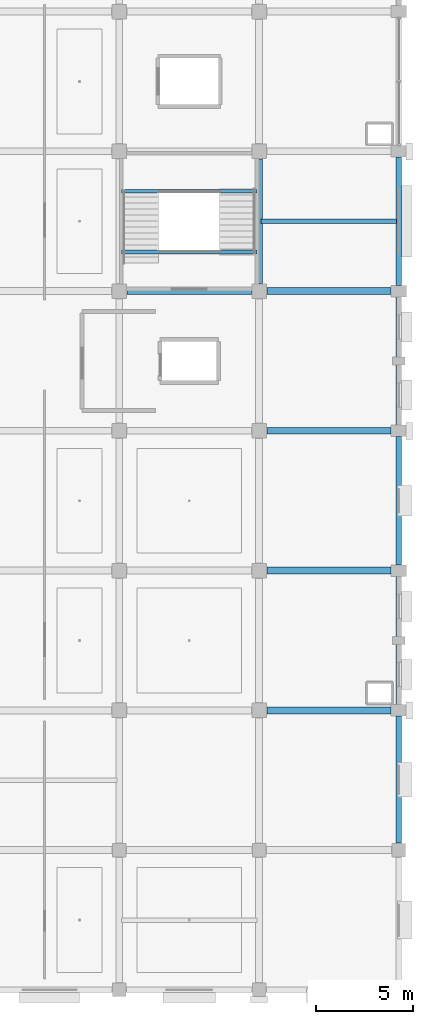
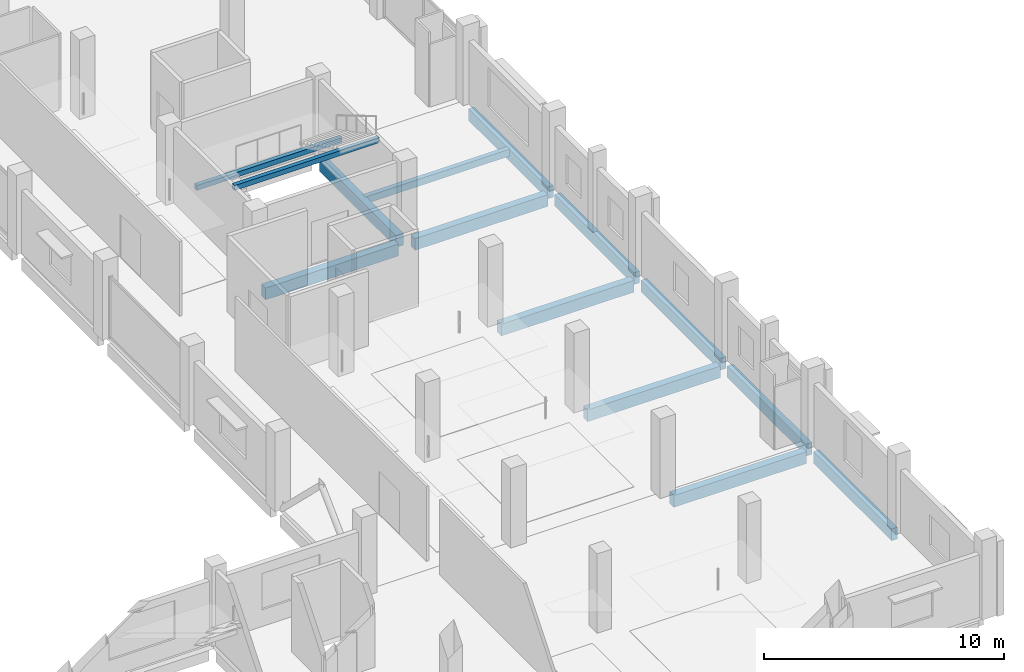
# One storey, part 48 of 108: 14 beams.
"""IFC4 building model written with IfcOpenShell, lengths in metres."""

from ifc_helpers import new_model, si_unit, direction, frame, origin, origin_2d, place, context, subcontext, project, spatial, rectangle, extrude, material, material_profile, profile_set, type_object, element, save


model = new_model("IFC4")

# Units and contexts
model_context = context("Model", 3, precision=1e-05, world=origin(), true_north=direction((0.0, 1.0)))
body_context = subcontext(model_context, "Body", "Model", "MODEL_VIEW")
ifc_project = project(units=[si_unit("LENGTHUNIT", "METRE"), si_unit("AREAUNIT", "SQUARE_METRE"), si_unit("VOLUMEUNIT", "CUBIC_METRE"), si_unit("PLANEANGLEUNIT", "RADIAN"), si_unit("MASSUNIT", "GRAM", prefix="KILO")], contexts=[model_context])

# Site, building, storey
site_placement = place(None, origin())
site = spatial("IfcSite", under=ifc_project, at=site_placement, CompositionType="ELEMENT")
building_placement = place(site_placement, origin())
building = spatial("IfcBuilding", under=site, at=building_placement, Name="Kangsadwip Square Police Headquarters", CompositionType="ELEMENT")
storey_placement = place(building_placement, frame((0.0, 0.0, 9.449951171875)))
storey = spatial("IfcBuildingStorey", under=building, at=storey_placement, Name="L02", CompositionType="ELEMENT", Elevation=9.449951171875)

# Beams
ifc_material_1 = material(Name="Concrete M35 (35 MPa)", Category="concrete")
ifc_material_profile_1 = material_profile(ifc_material_1, rectangle(XDim=0.35009765625, YDim=0.60009765625, at=origin_2d()), Name="RC BM 600X350")
ifc_profile_set_1 = profile_set([ifc_material_profile_1], Name="Concrete M35 (35 MPa)")
beam_type_1 = type_object("IfcBeamType", Name="RcBeam600x350", PredefinedType="BEAM", material=ifc_profile_set_1)
for number, where, z_axis, x_axis, name in (
    (1, (158.800048828125, 36.0, -0.5400390625), (1.0, 0.0, 0.0), (0.0, 1.0, 0.0), "Beam BM-L02-X-22-05"),
    (2, (158.800048828125, 43.199951171875, -0.5400390625), (1.0, 0.0, 0.0), (0.0, 1.0, 0.0), "Beam BM-L02-X-22-06"),
    (3, (158.800048828125, 50.39990234375, -0.5400390625), (1.0, 0.0, 0.0), (0.0, 1.0, 0.0), "Beam BM-L02-X-22-07"),
    (4, (151.60009765625, 57.60009765625, -0.5400390625), (1.0, 0.0, 0.0), (0.0, 1.0, 0.0), "Beam BM-L02-X-21-08"),
    (5, (158.800048828125, 57.60009765625, -0.5400390625), (1.0, 0.0, 0.0), (0.0, 1.0, 0.0), "Beam BM-L02-X-22-08"),
    (6, (158.39990234375, 58.0, -0.5400390625), (0.0, 1.0, 0.0), (-1.0, 0.0, 0.0), "Beam BM-L02-Y-22-08"),
):
    element("IfcBeam", number, at=place(storey_placement, frame(where, z_axis=z_axis, x_axis=x_axis)), inside=storey, type_object=beam_type_1, Name=name, PredefinedType="BEAM", context=body_context, shape_type="SweptSolid", body=[
        extrude(rectangle(XDim=0.35009765625, YDim=0.60009765625, at=origin_2d()), origin(), (0.0, 0.0, 1.0), 6.39990234375),
    ])
ifc_material_2 = material(Name="Concrete M35 (35 MPa)", Category="concrete")
ifc_material_profile_2 = material_profile(ifc_material_2, rectangle(XDim=0.22998046875, YDim=0.35009765625, at=origin_2d()), Name="RC JST 350X230")
ifc_profile_set_2 = profile_set([ifc_material_profile_2], Name="Concrete M35 (35 MPa)")
beam_type_2 = type_object("IfcBeamType", Name="RcJoist350x230", PredefinedType="JOIST", material=ifc_profile_set_2)
beam_1_placement = place(storey_placement, frame((158.510009765625, 61.199951171875, -0.4150390625), z_axis=(1.0, 0.0, 0.0), x_axis=(0.0, 1.0, 0.0)))
element("IfcBeam", 7, at=beam_1_placement, inside=storey, type_object=beam_type_2, Name="Secondary Joist JST-L02-22-08", PredefinedType="JOIST", context=body_context, shape_type="SweptSolid", body=[
    extrude(rectangle(XDim=0.22998046875, YDim=0.35009765625, at=origin_2d()), origin(), (0.0, 0.0, 1.0), 6.97998046875),
])
ifc_material_3 = material(Name="Concrete M30 (30 MPa)", Category="concrete")
ifc_material_profile_3 = material_profile(ifc_material_3, rectangle(XDim=0.199951171875, YDim=0.25, at=origin_2d()), Name="RC LNT 250X200")
ifc_profile_set_3 = profile_set([ifc_material_profile_3], Name="Concrete M30 (30 MPa)")
beam_type_3 = type_object("IfcBeamType", Name="RcLintel250x200", PredefinedType="LINTEL", material=ifc_profile_set_3)
for number, where, z_axis, x_axis, name in (
    (8, (151.300048828125, 62.739990234375, 1.801025390625), (1.0, 0.0, 0.0), (0.0, 1.0, 0.0), "Stair Carriage and Landing Beam BM-ST-L02-046"),
    (9, (151.300048828125, 59.6201171875, 3.68505859375), (1.0, 0.0, 0.0), (0.0, 1.0, 0.0), "Stair Carriage and Landing Beam BM-ST-L02-047"),
):
    element("IfcBeam", number, at=place(storey_placement, frame(where, z_axis=z_axis, x_axis=x_axis)), inside=storey, type_object=beam_type_3, Name=name, PredefinedType="BEAM", context=body_context, shape_type="SweptSolid", body=[
        extrude(rectangle(XDim=0.199951171875, YDim=0.25, at=origin_2d()), origin(), (0.0, 0.0, 1.0), 7.0),
    ])
ifc_material_4 = material(Name="Concrete M40 (40 MPa)", Category="concrete")
ifc_material_profile_4 = material_profile(ifc_material_4, rectangle(XDim=0.280029296875, YDim=0.60009765625, at=origin_2d()), Name="RC SPN 600X280")
ifc_profile_set_4 = profile_set([ifc_material_profile_4], Name="Concrete M40 (40 MPa)")
beam_type_4 = type_object("IfcBeamType", Name="RcSpandrel600x280", PredefinedType="SPANDREL", material=ifc_profile_set_4)
beam_2_placement = place(storey_placement, frame((165.60009765625, 29.175048828125, -0.5400390625), z_axis=(0.0, 1.0, 0.0), x_axis=(-1.0, 0.0, 0.0)))
element("IfcBeam", 10, at=beam_2_placement, inside=storey, type_object=beam_type_4, Name="Beam BM-L02-Y-23-04", PredefinedType="SPANDREL", context=body_context, shape_type="SweptSolid", body=[
    extrude(rectangle(XDim=0.280029296875, YDim=0.60009765625, at=origin_2d()), origin(), (0.0, 0.0, 1.0), 6.52490234375),
])
beam_3_placement = place(storey_placement, frame((165.60009765625, 36.300048828125, -0.5400390625), z_axis=(0.0, 1.0, 0.0), x_axis=(-1.0, 0.0, 0.0)))
element("IfcBeam", 11, at=beam_3_placement, inside=storey, type_object=beam_type_4, Name="Beam BM-L02-Y-23-05", PredefinedType="SPANDREL", context=body_context, shape_type="SweptSolid", body=[
    extrude(rectangle(XDim=0.280029296875, YDim=0.60009765625, at=origin_2d()), origin(), (0.0, 0.0, 1.0), 6.599853515625),
])
for number, where, z_axis, x_axis, name in (
    (12, (165.60009765625, 43.5, -0.5400390625), (0.0, 1.0, 0.0), (-1.0, 0.0, 0.0), "Beam BM-L02-Y-23-06"),
    (13, (165.60009765625, 50.699951171875, -0.5400390625), (0.0, 1.0, 0.0), (-1.0, 0.0, 0.0), "Beam BM-L02-Y-23-07"),
    (14, (165.60009765625, 57.89990234375, -0.5400390625), (0.0, 1.0, 0.0), (-1.0, 0.0, 0.0), "Beam BM-L02-Y-23-08"),
):
    element("IfcBeam", number, at=place(storey_placement, frame(where, z_axis=z_axis, x_axis=x_axis)), inside=storey, type_object=beam_type_4, Name=name, PredefinedType="SPANDREL", context=body_context, shape_type="SweptSolid", body=[
        extrude(rectangle(XDim=0.280029296875, YDim=0.60009765625, at=origin_2d()), origin(), (0.0, 0.0, 1.0), 6.60009765625),
    ])

save(model, "model.ifc")
